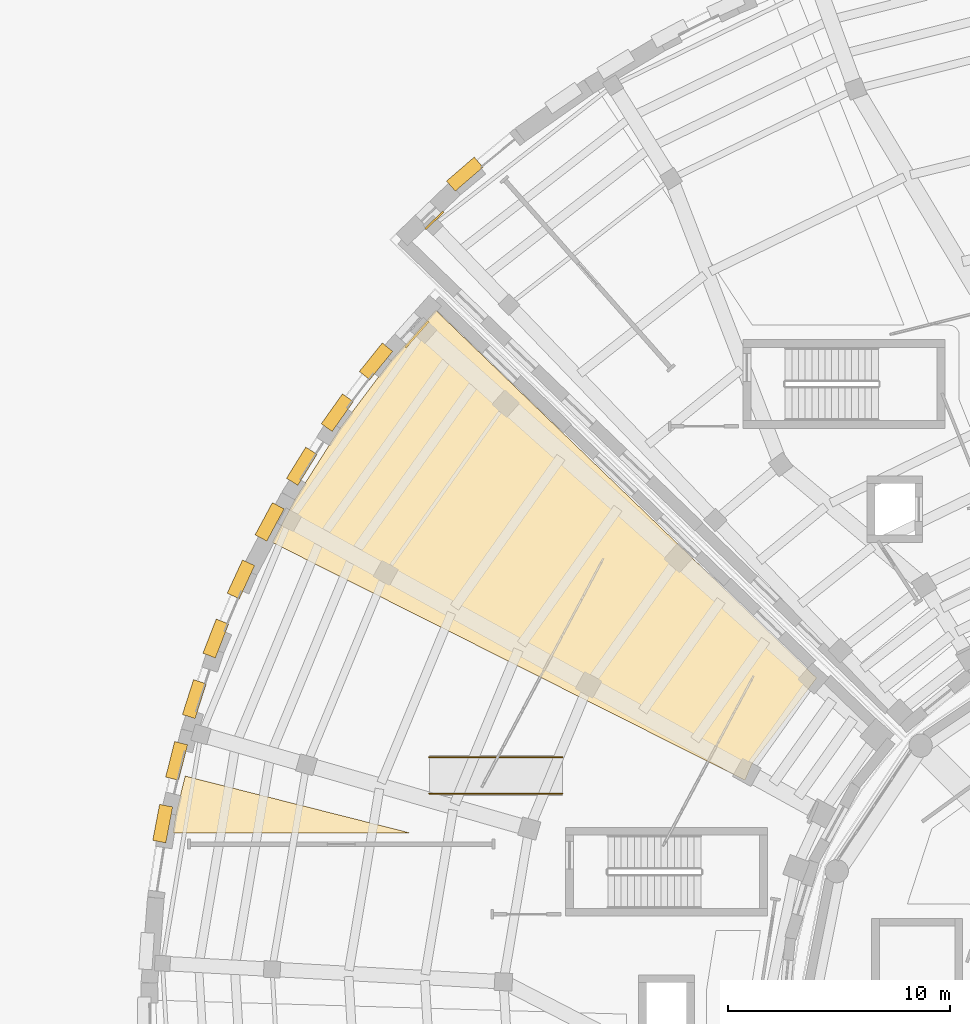
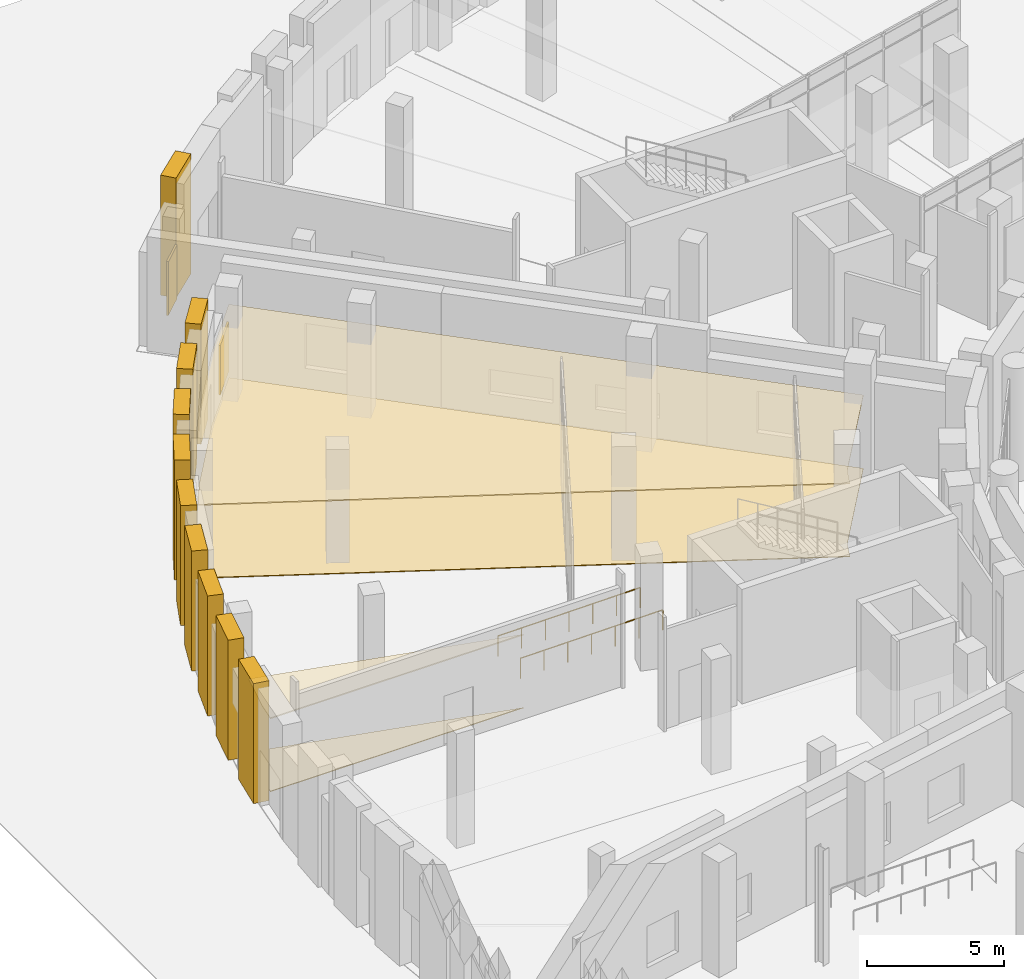
# One storey, part 65 of 74: 16 coverings, 2 railings.
"""IFC4 building model written with IfcOpenShell, lengths in metres."""

from ifc_helpers import new_model, si_unit, direction, frame, origin, origin_2d, place, context, subcontext, project, spatial, polyline, rectangle, circle, outline, extrude, material, layer, layer_set, type_object, element, save


model = new_model("IFC4")

# Units and contexts
model_context = context("Model", 3, precision=1e-05, world=origin(), true_north=direction((0.0, 1.0)))
body_context = subcontext(model_context, "Body", "Model", "MODEL_VIEW")
ifc_project = project(units=[si_unit("LENGTHUNIT", "METRE"), si_unit("AREAUNIT", "SQUARE_METRE"), si_unit("VOLUMEUNIT", "CUBIC_METRE"), si_unit("PLANEANGLEUNIT", "RADIAN"), si_unit("MASSUNIT", "GRAM", prefix="KILO")], contexts=[model_context])

# Site, building, storey
site_placement = place(None, origin())
site = spatial("IfcSite", under=ifc_project, at=site_placement, CompositionType="ELEMENT")
building_placement = place(site_placement, origin())
building = spatial("IfcBuilding", under=site, at=building_placement, Name="Soyqirgoq Riverine Aquarium", CompositionType="ELEMENT")
storey_placement = place(building_placement, origin())
storey = spatial("IfcBuildingStorey", under=building, at=storey_placement, Name="L01", CompositionType="ELEMENT", Elevation=0.0)

# Coverings
ifc_material_1 = material(Name="Perforated mineral-fibre acoustic ceiling", Category="gypsum")
ifc_layer_1 = layer(ifc_material_1, 0.050048828125)
ifc_layer_set_1 = layer_set([ifc_layer_1], Name="Perforated mineral-fibre acoustic ceiling")
covering_type_1 = type_object("IfcCoveringType", Name="AcousticBaffleCeiling_50", PredefinedType="CEILING", material=ifc_layer_set_1)
covering_1_placement = place(storey_placement, frame((0.0, 0.0, 3.25)))
element("IfcCovering", 1, at=covering_1_placement, inside=storey, type_object=covering_type_1, Name="Freshwater Ichthyology Gallery Suspended Ceiling", PredefinedType="CEILING", context=body_context, shape_type="SweptSolid", body=[
    extrude(outline(polyline([(15.427001953125, 80.425048828125), (17.467041015625, 83.64794921875), (19.762939453125, 86.695068359375), (21.7939453125, 88.97607421875), (38.969970703125, 72.388916015625), (36.0859375, 68.56103515625), (36.054931640625, 68.514892578125), (36.031005859375, 68.466064453125), (35.740966796875, 67.782958984375), (14.4208984375, 78.5048828125), (15.427001953125, 80.425048828125)])), origin(), (0.0, 0.0, 1.0), 0.050048828125),
])
covering_2_placement = place(storey_placement, frame((0.0, 0.0, 3.25)))
element("IfcCovering", 2, at=covering_2_placement, inside=storey, type_object=covering_type_1, Name="Riverine Gallery Suspended Ceiling", PredefinedType="CEILING", context=body_context, shape_type="SweptSolid", body=[
    extrude(outline(polyline([(10.06396484375, 66.20703125), (10.491943359375, 67.968017578125), (20.60302734375, 65.409912109375), (9.93798828125, 65.409912109375), (10.06396484375, 66.20703125)])), origin(), (0.0, 0.0, 1.0), 0.050048828125),
])
ifc_material_2 = material(Name="Anodised extruded aluminium sunshade", Category="aluminium")
covering_type_2 = type_object("IfcCoveringType", Name="SolarShadingLouvre_450", PredefinedType="USERDEFINED", material=ifc_material_2)
covering_3_placement = place(storey_placement, frame((20.945556640625, 87.8876953125, 0.75), z_axis=(0.0, 0.0, 1.0), x_axis=(0.664839324646, 0.746986393721, 0.0)))
element("IfcCovering", 3, at=covering_3_placement, inside=storey, type_object=covering_type_2, Name="V3 L01 Travertine Niche Solar Shade 0030", ObjectType="SOLAR_SHADING", PredefinedType="USERDEFINED", context=body_context, shape_type="SweptSolid", body=[
    extrude(rectangle(XDim=1.5400390625, YDim=0.080078125, at=origin_2d()), origin(), (0.0, 0.0, 1.0), 2.199951171875),
])
covering_4_placement = place(storey_placement, frame((21.72900390625, 93.0283203125, 0.75), z_axis=(0.0, 0.0, 1.0), x_axis=(0.721397723859, 0.692520991747, 0.0)))
element("IfcCovering", 4, at=covering_4_placement, inside=storey, type_object=covering_type_2, Name="V4 L01 Travertine Niche Solar Shade 0041", ObjectType="SOLAR_SHADING", PredefinedType="USERDEFINED", context=body_context, shape_type="SweptSolid", body=[
    extrude(rectangle(XDim=1.139892578125, YDim=0.080078125, at=origin_2d()), origin(), (0.0, 0.0, 1.0), 2.39990234375),
])

# Railings
ifc_material_3 = material(Name="Brushed stainless steel 316L tubular handrail", Category="steel")
railing_type = type_object("IfcRailingType", Name="StairPitchHandrail_920", PredefinedType="HANDRAIL", material=ifc_material_3)
for number, where, name in (
    (5, (21.5, 67.179931640625, -0.06005859375), "Delta Gallery Step-Free Transition Ramp Handrail S"),
    (6, (21.5, 68.820068359375, -0.06005859375), "Delta Gallery Step-Free Transition Ramp Handrail N"),
):
    element("IfcRailing", number, at=place(storey_placement, frame(where)), inside=storey, type_object=railing_type, Name=name, PredefinedType="HANDRAIL", context=body_context, shape_type="SweptSolid", body=[
        extrude(circle(Radius=0.02392578125, at=origin_2d()), frame((0.0, 0.0, 0.89599609375), z_axis=(0.99994990606, 0.0, 0.010009264196), x_axis=(0.0, 1.0, 0.0)), (0.0, 0.0, 1.0), 6.000244140625),
        extrude(circle(Radius=0.02099609375, at=origin_2d()), origin(), (0.0, 0.0, 1.0), 0.871826171875),
        extrude(circle(Radius=0.02099609375, at=origin_2d()), frame((1.0, 0.0, 0.010009765625)), (0.0, 0.0, 1.0), 0.871826171875),
        extrude(circle(Radius=0.02099609375, at=origin_2d()), frame((2.0, 0.0, 0.02001953125)), (0.0, 0.0, 1.0), 0.871826171875),
        extrude(circle(Radius=0.02099609375, at=origin_2d()), frame((3.0, 0.0, 0.030029296875)), (0.0, 0.0, 1.0), 0.871826171875),
        extrude(circle(Radius=0.02099609375, at=origin_2d()), frame((4.0, 0.0, 0.0400390625)), (0.0, 0.0, 1.0), 0.871826171875),
        extrude(circle(Radius=0.02099609375, at=origin_2d()), frame((5.0, 0.0, 0.050048828125)), (0.0, 0.0, 1.0), 0.871826171875),
        extrude(circle(Radius=0.02099609375, at=origin_2d()), frame((6.0, 0.0, 0.06005859375)), (0.0, 0.0, 1.0), 0.871826171875),
    ])

# Coverings
ifc_material_4 = material(Name="Polished Chirchiq river-pebble terrazzo flooring", Category="concrete")
ifc_layer_2 = layer(ifc_material_4, 0.030029296875)
ifc_layer_set_2 = layer_set([ifc_layer_2], Name="Polished Chirchiq river-pebble terrazzo flooring")
covering_type_3 = type_object("IfcCoveringType", Name="TerrazzoFloorFinish_30", PredefinedType="FLOORING", material=ifc_layer_set_2)
covering_5_placement = place(storey_placement, origin())
element("IfcCovering", 7, at=covering_5_placement, inside=storey, type_object=covering_type_3, Name="Freshwater Ichthyology Gallery Floor Finish", PredefinedType="FLOORING", context=body_context, shape_type="SweptSolid", body=[
    extrude(outline(polyline([(15.427001953125, 80.425048828125), (17.467041015625, 83.64794921875), (19.762939453125, 86.695068359375), (21.7939453125, 88.97607421875), (38.969970703125, 72.388916015625), (36.0859375, 68.56103515625), (36.054931640625, 68.514892578125), (36.031005859375, 68.466064453125), (35.740966796875, 67.782958984375), (14.4208984375, 78.5048828125), (15.427001953125, 80.425048828125)])), origin(), (0.0, 0.0, 1.0), 0.030029296875),
])
covering_6_placement = place(storey_placement, origin())
element("IfcCovering", 8, at=covering_6_placement, inside=storey, type_object=covering_type_3, Name="Riverine Gallery Floor Finish", PredefinedType="FLOORING", context=body_context, shape_type="SweptSolid", body=[
    extrude(outline(polyline([(10.06396484375, 66.20703125), (10.491943359375, 67.968017578125), (20.60302734375, 65.409912109375), (9.93798828125, 65.409912109375), (10.06396484375, 66.20703125)])), origin(), (0.0, 0.0, 1.0), 0.030029296875),
])
ifc_material_5 = material(Name="Honed Uzbek travertine limestone vertical niche pier", Category="masonry")
covering_type_4 = type_object("IfcCoveringType", Name="TravertineNichePier_550", PredefinedType="CLADDING", material=ifc_material_5)
for number, where, z_axis, x_axis, name in (
    (9, (19.098388671875, 86.669677734375, 0.0), (0.0, 0.0, 1.0), (-0.779337964931, 0.626603811364, 0.0), "V3 L01 Travertine Vertical Niche Pier 022"),
    (10, (17.352294921875, 84.3564453125, 0.0), (0.0, 0.0, 1.0), (-0.816238432831, 0.577715172702, 0.0), "V3 L01 Travertine Vertical Niche Pier 023"),
    (11, (15.7509765625, 81.940673828125, 0.0), (0.0, 0.0, 1.0), (-0.850076583478, 0.526659094883, 0.0), "V3 L01 Travertine Vertical Niche Pier 024"),
    (12, (14.30029296875, 79.431396484375, 0.0), (0.0, 0.0, 1.0), (-0.880642787868, 0.473780835594, 0.0), "V3 L01 Travertine Vertical Niche Pier 025"),
    (13, (13.006103515625, 76.837890625, 0.0), (0.0, 0.0, 1.0), (-0.907996978683, 0.418976713794, 0.0), "V3 L01 Travertine Vertical Niche Pier 026"),
    (14, (11.872802734375, 74.17041015625, 0.0), (0.0, 0.0, 1.0), (-0.931944597717, 0.362600698822, 0.0), "V3 L01 Travertine Vertical Niche Pier 027"),
    (15, (10.905029296875, 71.4384765625, 0.0), (0.0, 0.0, 1.0), (-0.952395799643, 0.304864299028, 0.0), "V3 L01 Travertine Vertical Niche Pier 028"),
    (16, (10.106201171875, 68.65234375, 0.0), (0.0, 0.0, 1.0), (-0.969230909707, 0.246153293029, 0.0), "V3 L01 Travertine Vertical Niche Pier 029"),
    (17, (9.479248046875, 65.822509765625, 0.0), (0.0, 0.0, 1.0), (-0.982482937347, 0.186352563227, 0.0), "V3 L01 Travertine Vertical Niche Pier 030"),
    (18, (23.100341796875, 95.11474609375, 0.0), (0.0, 0.0, 1.0), (-0.65342060399, 0.756995055652, 0.0), "V4 L01 Travertine Vertical Niche Pier 075"),
):
    element("IfcCovering", number, at=place(storey_placement, frame(where, z_axis=z_axis, x_axis=x_axis)), inside=storey, type_object=covering_type_4, Name=name, PredefinedType="CLADDING", context=body_context, shape_type="SweptSolid", body=[
        extrude(rectangle(XDim=0.60009765625, YDim=1.64990234375, at=origin_2d()), origin(), (0.0, 0.0, 1.0), 5.35009765625),
    ])

save(model, "model.ifc")
